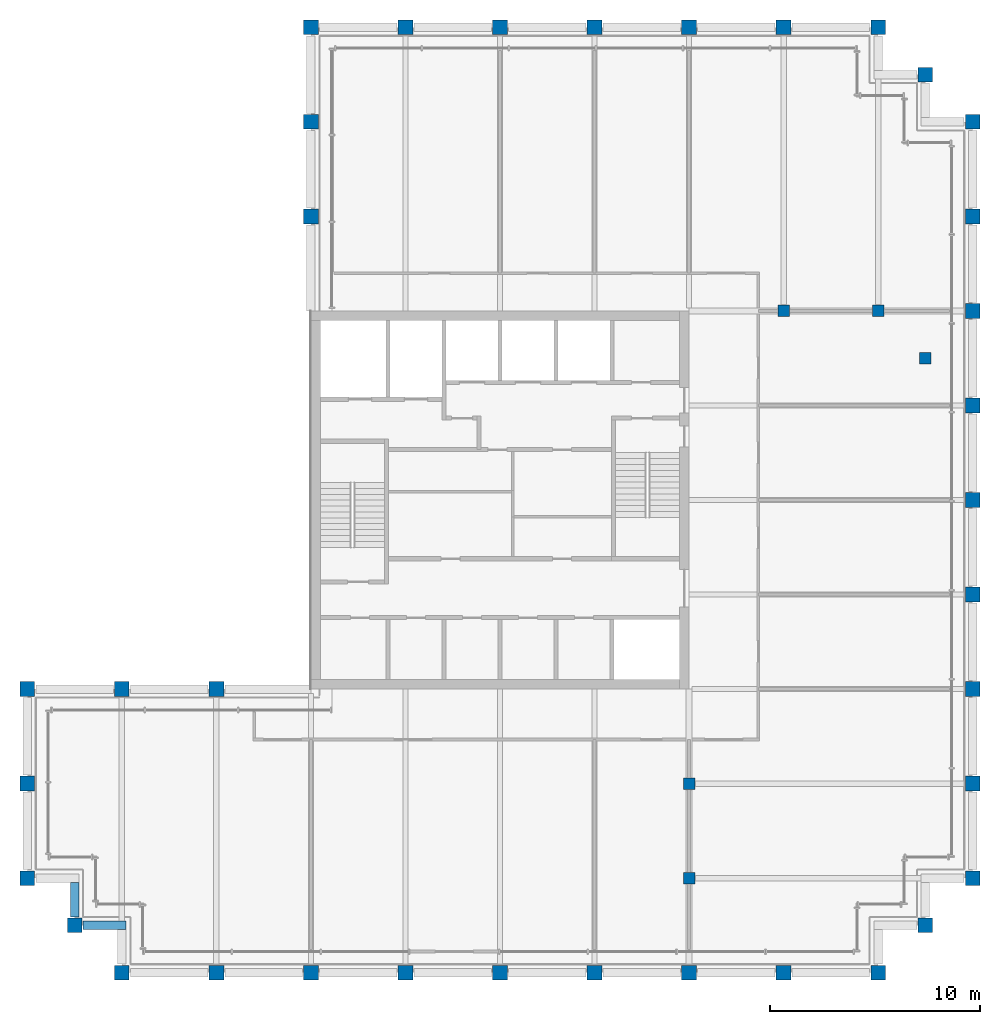
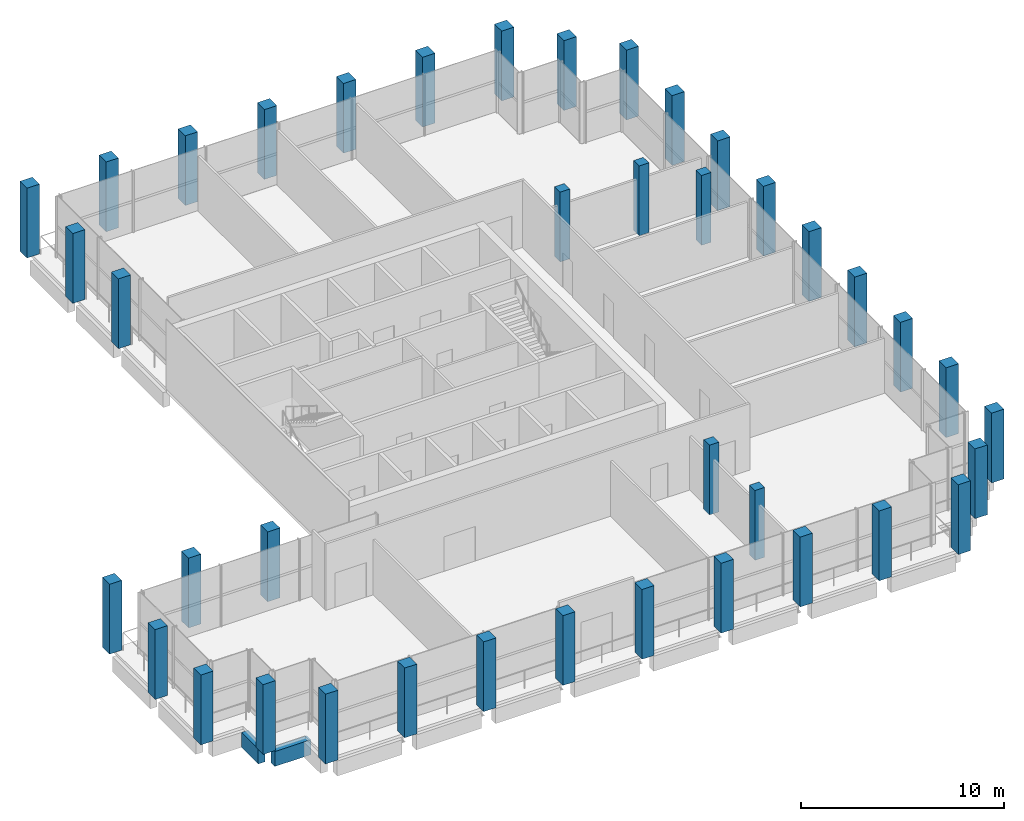
# One storey, part 1 of 17: 40 columns, 2 beams.
"""IFC4 building model written with IfcOpenShell, lengths in metres."""

import ifcopenshell
import ifcopenshell.guid

model = None  # the IFC model being written
_history = None  # IfcOwnerHistory: only IFC2X3 demands one
_inside = {}  # id of a spatial element -> (the spatial element, [elements in it])
_under = {}  # id of a project, library or spatial element -> (it, [spatial elements below it])
_declared = {}  # id of a project -> (the project, [libraries it declares])
_typed = {}  # id of a type object -> (the type object, [elements of that type])
_made_of = {}  # id of a material, layer set ... -> (it, [elements and type objects made of it])


def new_model(schema):
    """Start an empty IFC model of exactly this schema.

    Asked for "IFC4X3", IfcOpenShell would pick the latest addendum, in which some entities
    have other attributes; the version numbers below select the first issue.
    IFC2X3 requires an IfcOwnerHistory on every rooted entity: one is made here for all.
    """
    global model, _history
    if schema == "IFC4X3":
        model = ifcopenshell.file(schema_version=(4, 3, 0, 0))
    else:
        model = ifcopenshell.file(schema=schema)
    _inside.clear()
    _under.clear()
    _declared.clear()
    _typed.clear()
    _made_of.clear()
    _history = None
    if model.schema == "IFC2X3":
        org = make("IfcOrganization", Name="unknown")
        user = make(
            "IfcPersonAndOrganization",
            ThePerson=make("IfcPerson", FamilyName="unknown"),
            TheOrganization=org,
        )
        app = make(
            "IfcApplication",
            ApplicationDeveloper=org,
            Version="unknown",
            ApplicationFullName="unknown",
            ApplicationIdentifier="unknown",
        )
        _history = make(
            "IfcOwnerHistory",
            OwningUser=user,
            OwningApplication=app,
            ChangeAction="ADDED",
            CreationDate=0,
        )
    return model


def make(cls, **values):
    """One entity of the class cls with the attributes given. An attribute that is None is left unset."""
    return model.create_entity(
        cls, **{name: value for name, value in values.items() if value is not None}
    )


def rooted(cls, **values):
    """An entity with a GlobalId (a new one), such as an element, a storey or a relation."""
    return make(cls, GlobalId=ifcopenshell.guid.new(), OwnerHistory=_history, **values)


def si_unit(unit_type, name, prefix=None):
    """IfcSIUnit, for example si_unit("LENGTHUNIT", "METRE", prefix="MILLI")."""
    return make("IfcSIUnit", UnitType=unit_type, Prefix=prefix, Name=name)


def assignment(units):
    """IfcUnitAssignment: the units of a project."""
    return None if units is None else make("IfcUnitAssignment", Units=units)


def point(xyz):
    """IfcCartesianPoint."""
    return None if xyz is None else make("IfcCartesianPoint", Coordinates=xyz)


def direction(xyz):
    """IfcDirection."""
    return None if xyz is None else make("IfcDirection", DirectionRatios=xyz)


def frame(location, z_axis=None, x_axis=None):
    """IfcAxis2Placement3D, a coordinate frame: its origin and axes. An axis left out is left unset."""
    return make(
        "IfcAxis2Placement3D",
        Location=point(location),
        Axis=direction(z_axis),
        RefDirection=direction(x_axis),
    )


def frame_2d(location, x_axis=None):
    """IfcAxis2Placement2D, a coordinate frame in the plane: its origin and x axis."""
    return make(
        "IfcAxis2Placement2D", Location=point(location), RefDirection=direction(x_axis)
    )


def origin():
    """The frame at (0, 0, 0) with its axes left unset."""
    return frame((0.0, 0.0, 0.0))


def origin_2d():
    """The frame at (0, 0) in the plane with its x axis left unset."""
    return frame_2d((0.0, 0.0))


def place(relative_to, where):
    """IfcLocalPlacement: puts the frame where relative to a parent placement (None: the world)."""
    return make(
        "IfcLocalPlacement", PlacementRelTo=relative_to, RelativePlacement=where
    )


def context(
    kind, dimensions, precision=None, world=None, true_north=None, identifier=None
):
    """IfcGeometricRepresentationContext, for example the 3D "Model" context."""
    return make(
        "IfcGeometricRepresentationContext",
        ContextIdentifier=identifier,
        ContextType=kind,
        CoordinateSpaceDimension=dimensions,
        Precision=precision,
        WorldCoordinateSystem=world,
        TrueNorth=true_north,
    )


def subcontext(parent, identifier, kind, view, scale=None):
    """IfcGeometricRepresentationSubContext, for example "Body" below "Model"."""
    return make(
        "IfcGeometricRepresentationSubContext",
        ContextIdentifier=identifier,
        ContextType=kind,
        ParentContext=parent,
        TargetScale=scale,
        TargetView=view,
    )


def project(units=None, contexts=None):
    """IfcProject with its units and contexts."""
    return rooted(
        "IfcProject",
        Name="project",
        RepresentationContexts=contexts,
        UnitsInContext=assignment(units),
    )


def spatial(cls, under=None, at=None, **own):
    """A site, building, storey or space (cls), placed at a placement, below another one or the project."""
    s = rooted(cls, ObjectPlacement=at, **own)
    if under is not None:
        _under.setdefault(under.id(), (under, []))[1].append(s)
    return s


def profile(cls, at=None, kind="AREA", **sizes):
    """A parametric profile (cls). Its sizes go by their IFC names, for example OverallWidth=200.0."""
    return make(cls, ProfileType=kind, Position=at, **sizes)


def rectangle(**sizes):
    """IfcRectangleProfileDef."""
    return profile("IfcRectangleProfileDef", **sizes)


def extrude(swept, where, along, depth):
    """IfcExtrudedAreaSolid: the profile swept, set in the frame where, extruded along a direction by depth."""
    return make(
        "IfcExtrudedAreaSolid",
        SweptArea=swept,
        Position=where,
        ExtrudedDirection=direction(along),
        Depth=depth,
    )


def shape(context_of_items, identifier, shape_type, items):
    """IfcShapeRepresentation: the items that make up one representation, for example the "Body"."""
    return make(
        "IfcShapeRepresentation",
        ContextOfItems=context_of_items,
        RepresentationIdentifier=identifier,
        RepresentationType=shape_type,
        Items=items,
    )


def material(Name=None, Category=None):
    """IfcMaterial."""
    return make("IfcMaterial", Name=Name, Category=Category)


def material_profile(
    of_material, cross_section, Name=None, Category=None, Priority=None
):
    """IfcMaterialProfile: a cross section and its material."""
    return make(
        "IfcMaterialProfile",
        Name=Name,
        Material=of_material,
        Profile=cross_section,
        Priority=Priority,
        Category=Category,
    )


def profile_set(profiles, Name=None, composite=None):
    """IfcMaterialProfileSet."""
    return make(
        "IfcMaterialProfileSet",
        Name=Name,
        MaterialProfiles=profiles,
        CompositeProfile=composite,
    )


def made_of(thing, what):
    """Note that an element or type object is made of a material, layer set ...; save() writes the relation."""
    if what is not None:
        _made_of.setdefault(what.id(), (what, []))[1].append(thing)
    return thing


def type_object(cls, material=None, **own):
    """A type object (cls), such as IfcWallType, which elements share."""
    return made_of(rooted(cls, **own), material)


def element(
    cls,
    number,
    at=None,
    inside=None,
    cuts=None,
    type_object=None,
    material=None,
    context=None,
    identifier="Body",
    shape_type=None,
    held_by="IfcProductDefinitionShape",
    body=None,
    shapes=None,
    **own,
):
    """One element of the class cls, such as IfcWall. Its Tag is "e" and its number.

    at: its placement. inside: the storey or other place that contains it. cuts: it is an
    opening in that element (IfcRelVoidsElement). A single representation is given by context,
    identifier, shape_type and body (its items); several are given by shapes. held_by: the class
    of the entity that holds the representations. save() writes the other relations.
    """
    e = rooted(cls, Tag="e%d" % number, ObjectPlacement=at, **own)
    if body is not None:
        shapes = [shape(context, identifier, shape_type, body)]
    if shapes is not None:
        e.Representation = make(held_by, Representations=shapes)
    if inside is not None:
        _inside.setdefault(inside.id(), (inside, []))[1].append(e)
    if cuts is not None:
        rooted(
            "IfcRelVoidsElement", RelatingBuildingElement=cuts, RelatedOpeningElement=e
        )
    if type_object is not None:
        _typed.setdefault(type_object.id(), (type_object, []))[1].append(e)
    return made_of(e, material)


def aggregate(whole, parts):
    """IfcRelAggregates: a whole, such as a stair, and the parts it consists of."""
    return rooted("IfcRelAggregates", RelatingObject=whole, RelatedObjects=parts)


def save(model, path):
    """Write the relations noted so far, then the file.

    IfcRelAggregates (storeys below a building ...), IfcRelContainedInSpatialStructure (elements
    in a storey), IfcRelDefinesByType, IfcRelAssociatesMaterial and IfcRelDeclares: one each for
    every whole, place, type object, material and project.
    """
    for whole, parts in _under.values():
        aggregate(whole, parts)
    for where, things in _inside.values():
        rooted(
            "IfcRelContainedInSpatialStructure",
            RelatedElements=things,
            RelatingStructure=where,
        )
    for kind, things in _typed.values():
        rooted("IfcRelDefinesByType", RelatedObjects=things, RelatingType=kind)
    for what, things in _made_of.values():
        rooted("IfcRelAssociatesMaterial", RelatedObjects=things, RelatingMaterial=what)
    for by, libraries in _declared.values():
        rooted("IfcRelDeclares", RelatingContext=by, RelatedDefinitions=libraries)
    model.write(path)


model = new_model("IFC4")

# Units and contexts
model_context = context("Model", 3, precision=1e-05, world=origin(), true_north=direction((0.0, 1.0)))
body_context = subcontext(model_context, "Body", "Model", "MODEL_VIEW")
ifc_project = project(units=[si_unit("LENGTHUNIT", "METRE"), si_unit("AREAUNIT", "SQUARE_METRE"), si_unit("VOLUMEUNIT", "CUBIC_METRE"), si_unit("PLANEANGLEUNIT", "RADIAN"), si_unit("MASSUNIT", "GRAM", prefix="KILO")], contexts=[model_context])

# Site, building, storey
site_placement = place(None, origin())
site = spatial("IfcSite", under=ifc_project, at=site_placement, CompositionType="ELEMENT")
building_placement = place(site_placement, origin())
building = spatial("IfcBuilding", under=site, at=building_placement, Name="Altepetl Exchange Towers", CompositionType="ELEMENT")
storey_placement = place(building_placement, frame((0.0, 0.0, 251.0)))
storey = spatial("IfcBuildingStorey", under=building, at=storey_placement, Name="L64", CompositionType="ELEMENT", Elevation=251.0)

# Columns
ifc_material_1 = material(Name="Concrete C70/85", Category="concrete")
ifc_material_profile_1 = material_profile(ifc_material_1, rectangle(XDim=0.550048828125, YDim=0.550048828125, at=origin_2d()), Name="550 x 550")
ifc_profile_set_1 = profile_set([ifc_material_profile_1], Name="Concrete C70/85")
column_type_1 = type_object("IfcColumnType", Name="Interior column 550", PredefinedType="COLUMN", material=ifc_profile_set_1)
for number, where, name in (
    (1, (58.5, 31.5, 0.0), "col:A:L64:035"),
    (2, (58.5, 36.0, 0.0), "col:A:L64:036"),
    (3, (63.0, 58.5, 0.0), "col:A:L64:037"),
    (4, (67.5, 58.5, 0.0), "col:A:L64:038"),
    (5, (69.75, 56.25, 0.0), "col:A:L64:039"),
):
    element("IfcColumn", number, at=place(storey_placement, frame(where)), inside=storey, type_object=column_type_1, Name=name, PredefinedType="COLUMN", context=body_context, shape_type="SweptSolid", body=[
        extrude(rectangle(XDim=0.550048828125, YDim=0.550048828125, at=origin_2d()), origin(), (0.0, 0.0, 1.0), 4.199951171875),
    ])
ifc_material_2 = material(Name="Concrete C70/85 precast with cantera amarilla facing", Category="concrete")
ifc_material_profile_2 = material_profile(ifc_material_2, rectangle(XDim=0.699951171875, YDim=0.699951171875, at=origin_2d()), Name="700 x 700")
ifc_profile_set_2 = profile_set([ifc_material_profile_2], Name="Concrete C70/85 precast with cantera amarilla facing")
column_type_2 = type_object("IfcColumnType", Name="Perimeter column 700 cantera amarilla", PredefinedType="COLUMN", material=ifc_profile_set_2)
for number, where, name in (
    (6, (58.5, 27.0, 0.0), "col:A:L64:006"),
    (7, (63.0, 27.0, 0.0), "col:A:L64:007"),
    (8, (67.5, 27.0, 0.0), "col:A:L64:008"),
    (9, (69.75, 29.25, 0.0), "col:A:L64:009"),
    (10, (72.0, 31.5, 0.0), "col:A:L64:010"),
    (11, (72.0, 36.0, 0.0), "col:A:L64:011"),
    (12, (72.0, 40.5, 0.0), "col:A:L64:012"),
    (13, (72.0, 45.0, 0.0), "col:A:L64:013"),
    (14, (72.0, 49.5, 0.0), "col:A:L64:014"),
    (15, (72.0, 54.0, 0.0), "col:A:L64:015"),
):
    element("IfcColumn", number, at=place(storey_placement, frame(where)), inside=storey, type_object=column_type_2, Name=name, PredefinedType="COLUMN", context=body_context, shape_type="SweptSolid", body=[
        extrude(rectangle(XDim=0.699951171875, YDim=0.699951171875, at=origin_2d()), origin(), (0.0, 0.0, 1.0), 4.199951171875),
    ])
ifc_material_3 = material(Name="Concrete C70/85 precast with cantera blanca facing", Category="concrete")
ifc_material_profile_3 = material_profile(ifc_material_3, rectangle(XDim=0.699951171875, YDim=0.699951171875, at=origin_2d()), Name="700 x 700")
ifc_profile_set_3 = profile_set([ifc_material_profile_3], Name="Concrete C70/85 precast with cantera blanca facing")
column_type_3 = type_object("IfcColumnType", Name="Perimeter column 700 cantera blanca", PredefinedType="COLUMN", material=ifc_profile_set_3)
for number, where, name in (
    (16, (31.5, 27.0, 0.0), "col:A:L64:000"),
    (17, (36.0, 27.0, 0.0), "col:A:L64:001"),
    (18, (40.5, 27.0, 0.0), "col:A:L64:002"),
    (19, (45.0, 27.0, 0.0), "col:A:L64:003"),
    (20, (49.5, 27.0, 0.0), "col:A:L64:004"),
    (21, (54.0, 27.0, 0.0), "col:A:L64:005"),
    (22, (27.0, 36.0, 0.0), "col:A:L64:032"),
    (23, (27.0, 31.5, 0.0), "col:A:L64:033"),
    (24, (29.25, 29.25, 0.0), "col:A:L64:034"),
):
    element("IfcColumn", number, at=place(storey_placement, frame(where)), inside=storey, type_object=column_type_3, Name=name, PredefinedType="COLUMN", context=body_context, shape_type="SweptSolid", body=[
        extrude(rectangle(XDim=0.699951171875, YDim=0.699951171875, at=origin_2d()), origin(), (0.0, 0.0, 1.0), 4.199951171875),
    ])
ifc_material_4 = material(Name="Concrete C70/85 precast with cantera rosa facing", Category="concrete")
ifc_material_profile_4 = material_profile(ifc_material_4, rectangle(XDim=0.699951171875, YDim=0.699951171875, at=origin_2d()), Name="700 x 700")
ifc_profile_set_4 = profile_set([ifc_material_profile_4], Name="Concrete C70/85 precast with cantera rosa facing")
column_type_4 = type_object("IfcColumnType", Name="Perimeter column 700 cantera rosa", PredefinedType="COLUMN", material=ifc_profile_set_4)
for number, where, name in (
    (25, (72.0, 58.5, 0.0), "col:A:L64:016"),
    (26, (72.0, 63.0, 0.0), "col:A:L64:017"),
    (27, (72.0, 67.5, 0.0), "col:A:L64:018"),
    (28, (69.75, 69.75, 0.0), "col:A:L64:019"),
    (29, (67.5, 72.0, 0.0), "col:A:L64:020"),
    (30, (63.0, 72.0, 0.0), "col:A:L64:021"),
    (31, (58.5, 72.0, 0.0), "col:A:L64:022"),
    (32, (54.0, 72.0, 0.0), "col:A:L64:023"),
    (33, (49.5, 72.0, 0.0), "col:A:L64:024"),
    (34, (45.0, 72.0, 0.0), "col:A:L64:025"),
):
    element("IfcColumn", number, at=place(storey_placement, frame(where)), inside=storey, type_object=column_type_4, Name=name, PredefinedType="COLUMN", context=body_context, shape_type="SweptSolid", body=[
        extrude(rectangle(XDim=0.699951171875, YDim=0.699951171875, at=origin_2d()), origin(), (0.0, 0.0, 1.0), 4.199951171875),
    ])
ifc_material_5 = material(Name="Concrete C70/85 precast with tezontle facing", Category="concrete")
ifc_material_profile_5 = material_profile(ifc_material_5, rectangle(XDim=0.699951171875, YDim=0.699951171875, at=origin_2d()), Name="700 x 700")
ifc_profile_set_5 = profile_set([ifc_material_profile_5], Name="Concrete C70/85 precast with tezontle facing")
column_type_5 = type_object("IfcColumnType", Name="Perimeter column 700 tezontle", PredefinedType="COLUMN", material=ifc_profile_set_5)
for number, where, name in (
    (35, (40.5, 72.0, 0.0), "col:A:L64:026"),
    (36, (40.5, 67.5, 0.0), "col:A:L64:027"),
    (37, (40.5, 63.0, 0.0), "col:A:L64:028"),
    (38, (36.0, 40.5, 0.0), "col:A:L64:029"),
    (39, (31.5, 40.5, 0.0), "col:A:L64:030"),
    (40, (27.0, 40.5, 0.0), "col:A:L64:031"),
):
    element("IfcColumn", number, at=place(storey_placement, frame(where)), inside=storey, type_object=column_type_5, Name=name, PredefinedType="COLUMN", context=body_context, shape_type="SweptSolid", body=[
        extrude(rectangle(XDim=0.699951171875, YDim=0.699951171875, at=origin_2d()), origin(), (0.0, 0.0, 1.0), 4.199951171875),
    ])

# Beams
ifc_material_6 = material(Name="Concrete C50/60 precast with cantera blanca facing", Category="concrete")
ifc_material_profile_6 = material_profile(ifc_material_6, rectangle(XDim=0.39990234375, YDim=0.89990234375, at=origin_2d()), Name="400 x 900")
ifc_profile_set_6 = profile_set([ifc_material_profile_6], Name="Concrete C50/60 precast with cantera blanca facing")
beam_type = type_object("IfcBeamType", Name="Spandrel beam 400x900 cantera blanca", PredefinedType="SPANDREL", material=ifc_profile_set_6)
beam_1_placement = place(storey_placement, frame((29.25, 31.300048828125, -0.625), z_axis=(0.0, -1.0, 0.0), x_axis=(1.0, 0.0, 0.0)))
element("IfcBeam", 41, at=beam_1_placement, inside=storey, type_object=beam_type, Name="sp:A:L64:039", PredefinedType="SPANDREL", context=body_context, shape_type="SweptSolid", body=[
    extrude(rectangle(XDim=0.39990234375, YDim=0.89990234375, at=origin_2d()), origin(), (0.0, 0.0, 1.0), 1.650146484375),
])
beam_2_placement = place(storey_placement, frame((29.64990234375, 29.25, -0.625), z_axis=(1.0, 0.0, 0.0), x_axis=(0.0, 1.0, 0.0)))
element("IfcBeam", 42, at=beam_2_placement, inside=storey, type_object=beam_type, Name="sp:A:L64:040", PredefinedType="SPANDREL", context=body_context, shape_type="SweptSolid", body=[
    extrude(rectangle(XDim=0.39990234375, YDim=0.89990234375, at=origin_2d()), origin(), (0.0, 0.0, 1.0), 2.050048828125),
])

save(model, "model.ifc")
